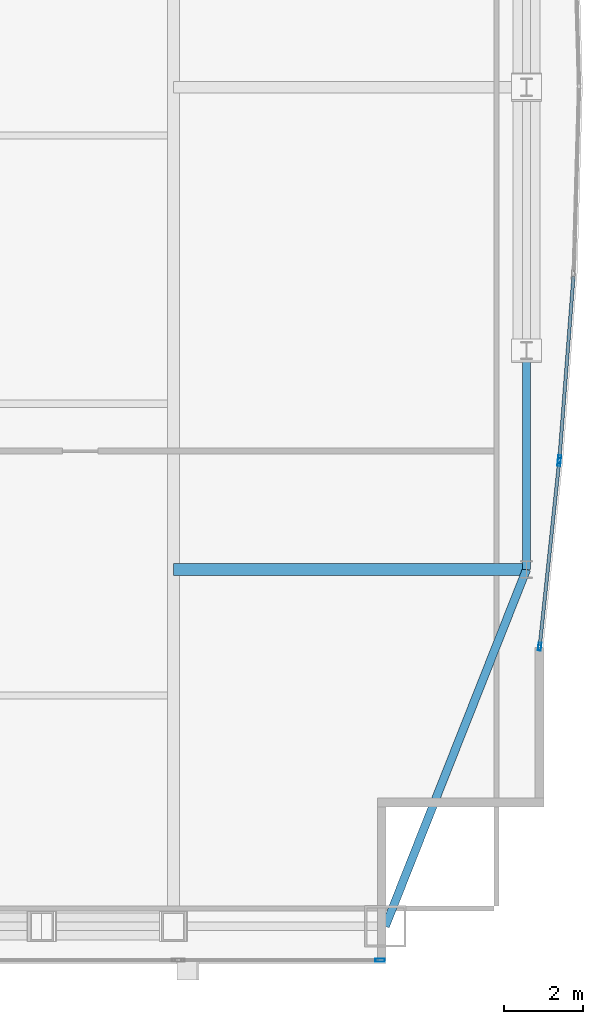
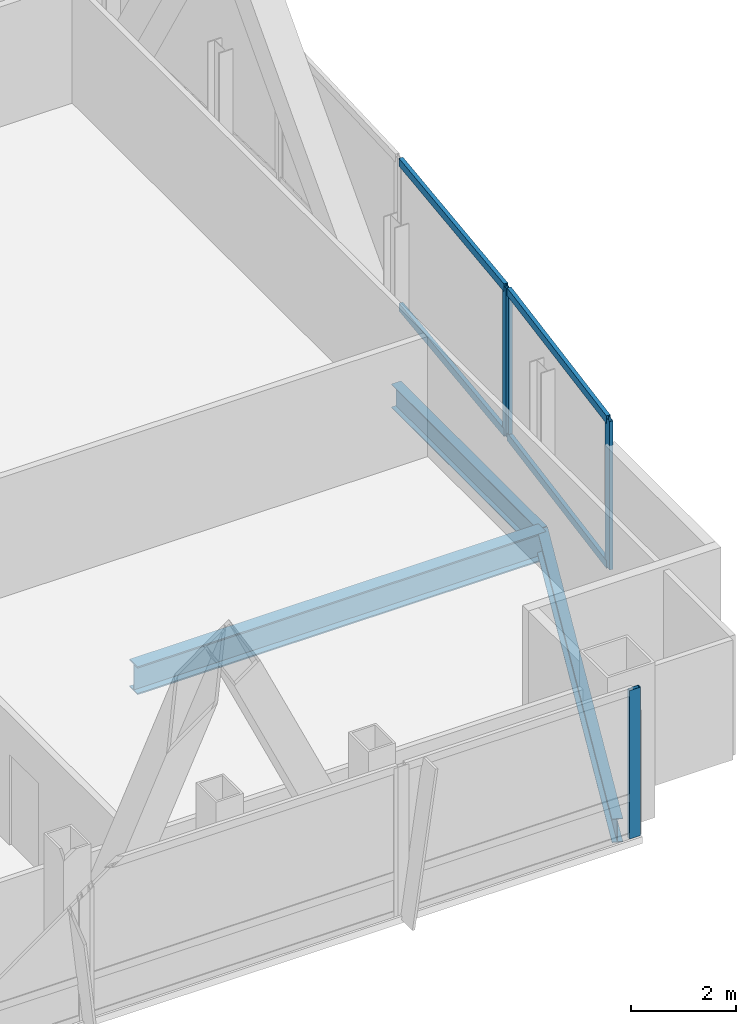
# One storey, part 16 of 30: 8 members, 3 beams, 3 elements without a shape of their own.
"""IFC4 building model written with IfcOpenShell, lengths in metres."""

import ifcopenshell
import ifcopenshell.guid

model = None  # the IFC model being written
_history = None  # IfcOwnerHistory: only IFC2X3 demands one
_inside = {}  # id of a spatial element -> (the spatial element, [elements in it])
_under = {}  # id of a project, library or spatial element -> (it, [spatial elements below it])
_declared = {}  # id of a project -> (the project, [libraries it declares])
_typed = {}  # id of a type object -> (the type object, [elements of that type])
_made_of = {}  # id of a material, layer set ... -> (it, [elements and type objects made of it])


def new_model(schema):
    """Start an empty IFC model of exactly this schema.

    Asked for "IFC4X3", IfcOpenShell would pick the latest addendum, in which some entities
    have other attributes; the version numbers below select the first issue.
    IFC2X3 requires an IfcOwnerHistory on every rooted entity: one is made here for all.
    """
    global model, _history
    if schema == "IFC4X3":
        model = ifcopenshell.file(schema_version=(4, 3, 0, 0))
    else:
        model = ifcopenshell.file(schema=schema)
    _inside.clear()
    _under.clear()
    _declared.clear()
    _typed.clear()
    _made_of.clear()
    _history = None
    if model.schema == "IFC2X3":
        org = make("IfcOrganization", Name="unknown")
        user = make(
            "IfcPersonAndOrganization",
            ThePerson=make("IfcPerson", FamilyName="unknown"),
            TheOrganization=org,
        )
        app = make(
            "IfcApplication",
            ApplicationDeveloper=org,
            Version="unknown",
            ApplicationFullName="unknown",
            ApplicationIdentifier="unknown",
        )
        _history = make(
            "IfcOwnerHistory",
            OwningUser=user,
            OwningApplication=app,
            ChangeAction="ADDED",
            CreationDate=0,
        )
    return model


def make(cls, **values):
    """One entity of the class cls with the attributes given. An attribute that is None is left unset."""
    return model.create_entity(
        cls, **{name: value for name, value in values.items() if value is not None}
    )


def rooted(cls, **values):
    """An entity with a GlobalId (a new one), such as an element, a storey or a relation."""
    return make(cls, GlobalId=ifcopenshell.guid.new(), OwnerHistory=_history, **values)


def si_unit(unit_type, name, prefix=None):
    """IfcSIUnit, for example si_unit("LENGTHUNIT", "METRE", prefix="MILLI")."""
    return make("IfcSIUnit", UnitType=unit_type, Prefix=prefix, Name=name)


def assignment(units):
    """IfcUnitAssignment: the units of a project."""
    return None if units is None else make("IfcUnitAssignment", Units=units)


def point(xyz):
    """IfcCartesianPoint."""
    return None if xyz is None else make("IfcCartesianPoint", Coordinates=xyz)


def direction(xyz):
    """IfcDirection."""
    return None if xyz is None else make("IfcDirection", DirectionRatios=xyz)


def frame(location, z_axis=None, x_axis=None):
    """IfcAxis2Placement3D, a coordinate frame: its origin and axes. An axis left out is left unset."""
    return make(
        "IfcAxis2Placement3D",
        Location=point(location),
        Axis=direction(z_axis),
        RefDirection=direction(x_axis),
    )


def frame_2d(location, x_axis=None):
    """IfcAxis2Placement2D, a coordinate frame in the plane: its origin and x axis."""
    return make(
        "IfcAxis2Placement2D", Location=point(location), RefDirection=direction(x_axis)
    )


def origin():
    """The frame at (0, 0, 0) with its axes left unset."""
    return frame((0.0, 0.0, 0.0))


def origin_2d():
    """The frame at (0, 0) in the plane with its x axis left unset."""
    return frame_2d((0.0, 0.0))


def place(relative_to, where):
    """IfcLocalPlacement: puts the frame where relative to a parent placement (None: the world)."""
    return make(
        "IfcLocalPlacement", PlacementRelTo=relative_to, RelativePlacement=where
    )


def context(
    kind, dimensions, precision=None, world=None, true_north=None, identifier=None
):
    """IfcGeometricRepresentationContext, for example the 3D "Model" context."""
    return make(
        "IfcGeometricRepresentationContext",
        ContextIdentifier=identifier,
        ContextType=kind,
        CoordinateSpaceDimension=dimensions,
        Precision=precision,
        WorldCoordinateSystem=world,
        TrueNorth=true_north,
    )


def subcontext(parent, identifier, kind, view, scale=None):
    """IfcGeometricRepresentationSubContext, for example "Body" below "Model"."""
    return make(
        "IfcGeometricRepresentationSubContext",
        ContextIdentifier=identifier,
        ContextType=kind,
        ParentContext=parent,
        TargetScale=scale,
        TargetView=view,
    )


def project(units=None, contexts=None):
    """IfcProject with its units and contexts."""
    return rooted(
        "IfcProject",
        Name="project",
        RepresentationContexts=contexts,
        UnitsInContext=assignment(units),
    )


def spatial(cls, under=None, at=None, **own):
    """A site, building, storey or space (cls), placed at a placement, below another one or the project."""
    s = rooted(cls, ObjectPlacement=at, **own)
    if under is not None:
        _under.setdefault(under.id(), (under, []))[1].append(s)
    return s


def profile(cls, at=None, kind="AREA", **sizes):
    """A parametric profile (cls). Its sizes go by their IFC names, for example OverallWidth=200.0."""
    return make(cls, ProfileType=kind, Position=at, **sizes)


def hollow_rectangle(**sizes):
    """IfcRectangleHollowProfileDef."""
    return profile("IfcRectangleHollowProfileDef", **sizes)


def i_section(**sizes):
    """IfcIShapeProfileDef."""
    return profile("IfcIShapeProfileDef", **sizes)


def extrude(swept, where, along, depth):
    """IfcExtrudedAreaSolid: the profile swept, set in the frame where, extruded along a direction by depth."""
    return make(
        "IfcExtrudedAreaSolid",
        SweptArea=swept,
        Position=where,
        ExtrudedDirection=direction(along),
        Depth=depth,
    )


def shape(context_of_items, identifier, shape_type, items):
    """IfcShapeRepresentation: the items that make up one representation, for example the "Body"."""
    return make(
        "IfcShapeRepresentation",
        ContextOfItems=context_of_items,
        RepresentationIdentifier=identifier,
        RepresentationType=shape_type,
        Items=items,
    )


def material(Name=None, Category=None):
    """IfcMaterial."""
    return make("IfcMaterial", Name=Name, Category=Category)


def material_profile(
    of_material, cross_section, Name=None, Category=None, Priority=None
):
    """IfcMaterialProfile: a cross section and its material."""
    return make(
        "IfcMaterialProfile",
        Name=Name,
        Material=of_material,
        Profile=cross_section,
        Priority=Priority,
        Category=Category,
    )


def profile_set(profiles, Name=None, composite=None):
    """IfcMaterialProfileSet."""
    return make(
        "IfcMaterialProfileSet",
        Name=Name,
        MaterialProfiles=profiles,
        CompositeProfile=composite,
    )


def made_of(thing, what):
    """Note that an element or type object is made of a material, layer set ...; save() writes the relation."""
    if what is not None:
        _made_of.setdefault(what.id(), (what, []))[1].append(thing)
    return thing


def type_object(cls, material=None, **own):
    """A type object (cls), such as IfcWallType, which elements share."""
    return made_of(rooted(cls, **own), material)


def element(
    cls,
    number,
    at=None,
    inside=None,
    cuts=None,
    type_object=None,
    material=None,
    context=None,
    identifier="Body",
    shape_type=None,
    held_by="IfcProductDefinitionShape",
    body=None,
    shapes=None,
    **own,
):
    """One element of the class cls, such as IfcWall. Its Tag is "e" and its number.

    at: its placement. inside: the storey or other place that contains it. cuts: it is an
    opening in that element (IfcRelVoidsElement). A single representation is given by context,
    identifier, shape_type and body (its items); several are given by shapes. held_by: the class
    of the entity that holds the representations. save() writes the other relations.
    """
    e = rooted(cls, Tag="e%d" % number, ObjectPlacement=at, **own)
    if body is not None:
        shapes = [shape(context, identifier, shape_type, body)]
    if shapes is not None:
        e.Representation = make(held_by, Representations=shapes)
    if inside is not None:
        _inside.setdefault(inside.id(), (inside, []))[1].append(e)
    if cuts is not None:
        rooted(
            "IfcRelVoidsElement", RelatingBuildingElement=cuts, RelatedOpeningElement=e
        )
    if type_object is not None:
        _typed.setdefault(type_object.id(), (type_object, []))[1].append(e)
    return made_of(e, material)


def aggregate(whole, parts):
    """IfcRelAggregates: a whole, such as a stair, and the parts it consists of."""
    return rooted("IfcRelAggregates", RelatingObject=whole, RelatedObjects=parts)


def save(model, path):
    """Write the relations noted so far, then the file.

    IfcRelAggregates (storeys below a building ...), IfcRelContainedInSpatialStructure (elements
    in a storey), IfcRelDefinesByType, IfcRelAssociatesMaterial and IfcRelDeclares: one each for
    every whole, place, type object, material and project.
    """
    for whole, parts in _under.values():
        aggregate(whole, parts)
    for where, things in _inside.values():
        rooted(
            "IfcRelContainedInSpatialStructure",
            RelatedElements=things,
            RelatingStructure=where,
        )
    for kind, things in _typed.values():
        rooted("IfcRelDefinesByType", RelatedObjects=things, RelatingType=kind)
    for what, things in _made_of.values():
        rooted("IfcRelAssociatesMaterial", RelatedObjects=things, RelatingMaterial=what)
    for by, libraries in _declared.values():
        rooted("IfcRelDeclares", RelatingContext=by, RelatedDefinitions=libraries)
    model.write(path)


model = new_model("IFC4")

# Units and contexts
model_context = context("Model", 3, precision=1e-05, world=origin(), true_north=direction((0.0, 1.0)))
body_context = subcontext(model_context, "Body", "Model", "MODEL_VIEW")
ifc_project = project(units=[si_unit("LENGTHUNIT", "METRE"), si_unit("AREAUNIT", "SQUARE_METRE"), si_unit("VOLUMEUNIT", "CUBIC_METRE"), si_unit("PLANEANGLEUNIT", "RADIAN"), si_unit("MASSUNIT", "GRAM", prefix="KILO")], contexts=[model_context])

# Site, building, storey
site_placement = place(None, origin())
site = spatial("IfcSite", under=ifc_project, at=site_placement, CompositionType="ELEMENT")
building_placement = place(site_placement, origin())
building = spatial("IfcBuilding", under=site, at=building_placement, Name="Khoronbel Lancet Exchange", CompositionType="ELEMENT")
storey_placement = place(building_placement, frame((0.0, 0.0, 284.199951171875)))
storey = spatial("IfcBuildingStorey", under=building, at=storey_placement, Name="L73", CompositionType="ELEMENT", Elevation=284.199951171875)

# Beams
ifc_material_1 = material(Name="Steel S355", Category="steel")
ifc_material_profile_1 = material_profile(ifc_material_1, i_section(OverallWidth=0.300048828125, OverallDepth=0.64990234375, WebThickness=0.01611328125, FlangeThickness=0.031005859375, at=origin_2d()), Name="HEB 650")
ifc_profile_set_1 = profile_set([ifc_material_profile_1], Name="Steel S355")
beam_type_1 = type_object("IfcBeamType", Name="BM-BG4", PredefinedType="BEAM", material=ifc_profile_set_1)
beam_1_placement = place(storey_placement, frame((54.675048828125, 19.199951171875, -0.48486328125), z_axis=(1.0, 0.0, 0.0), x_axis=(0.0, 1.0, 0.0)))
element("IfcBeam", 1, at=beam_1_placement, inside=storey, type_object=beam_type_1, Name="Level L73 east lens tie girder LG1E", PredefinedType="BEAM", context=body_context, shape_type="SweptSolid", body=[
    extrude(i_section(OverallWidth=0.300048828125, OverallDepth=0.64990234375, WebThickness=0.01611328125, FlangeThickness=0.031005859375, at=origin_2d()), origin(), (0.0, 0.0, 1.0), 8.954833984375),
])
ifc_material_profile_2 = material_profile(ifc_material_1, i_section(OverallWidth=0.2099609375, OverallDepth=0.550048828125, WebThickness=0.010986328125, FlangeThickness=0.01708984375, at=origin_2d()), Name="IPE 550")
ifc_profile_set_2 = profile_set([ifc_material_profile_2], Name="Steel S355")
beam_type_2 = type_object("IfcBeamType", Name="BM-BSP3", PredefinedType="SPANDREL", material=ifc_profile_set_2)
beam_2_placement = place(storey_placement, frame((60.050048828125, 10.14990234375, -0.43505859375), z_axis=(0.367828403855, 0.929893684954, 0.0), x_axis=(-0.929893684954, 0.367828403855, 0.0)))
element("IfcBeam", 2, at=beam_2_placement, inside=storey, type_object=beam_type_2, Name="Level L73 perimeter spandrel beam SP10", PredefinedType="SPANDREL", context=body_context, shape_type="SweptSolid", body=[
    extrude(i_section(OverallWidth=0.2099609375, OverallDepth=0.550048828125, WebThickness=0.010986328125, FlangeThickness=0.01708984375, at=origin_2d()), origin(), (0.0, 0.0, 1.0), 9.732421875),
])
beam_3_placement = place(storey_placement, frame((63.6298828125, 19.199951171875, -0.43505859375), z_axis=(0.0, 1.0, 0.0), x_axis=(-1.0, 0.0, 0.0)))
element("IfcBeam", 3, at=beam_3_placement, inside=storey, type_object=beam_type_2, Name="Level L73 perimeter spandrel beam SP11", PredefinedType="SPANDREL", context=body_context, shape_type="SweptSolid", body=[
    extrude(i_section(OverallWidth=0.2099609375, OverallDepth=0.550048828125, WebThickness=0.010986328125, FlangeThickness=0.01708984375, at=origin_2d()), origin(), (0.0, 0.0, 1.0), 5.550048828125),
])

# Curtain wall, member
ifc_material_2 = material(Name="Low-E Solar Control Insulating Glass", Category="glass")
curtain_wall_type_1 = type_object("IfcCurtainWallType", Name="CW-3", PredefinedType="NOTDEFINED", material=ifc_material_2)
curtain_wall_1_placement = place(storey_placement, origin())
curtain_wall_1 = element("IfcCurtainWall", 4, at=curtain_wall_1_placement, inside=storey, type_object=curtain_wall_type_1, Name="Unitised curtain wall CW-L73-SEV", PredefinedType="NOTDEFINED")
ifc_material_3 = material(Name="Bronze-Anodised Aluminium 6063-T6", Category="aluminium")
ifc_material_profile_3 = material_profile(ifc_material_3, hollow_rectangle(XDim=0.0849609375, YDim=0.239990234375, WallThickness=0.006103515625, at=origin_2d()), Name="ALU MULLION 85x240")
ifc_profile_set_3 = profile_set([ifc_material_profile_3], Name="Bronze-Anodised Aluminium 6063-T6")
member_type_1 = type_object("IfcMemberType", Name="MEM-CWM1", PredefinedType="MULLION", material=ifc_profile_set_3)
member_1_placement = place(storey_placement, frame((59.91748046875, 9.2900390625, 0.0), z_axis=(0.0, 0.0, 1.0), x_axis=(0.0, 1.0, 0.0)))
member_1 = element("IfcMember", 5, at=member_1_placement, type_object=member_type_1, Name="CW3 mullion 2", PredefinedType="MULLION", context=body_context, shape_type="SweptSolid", body=[
    extrude(hollow_rectangle(XDim=0.0849609375, YDim=0.239990234375, WallThickness=0.006103515625, at=origin_2d()), origin(), (0.0, 0.0, 1.0), 3.43994140625),
])
aggregate(curtain_wall_1, [member_1])

curtain_wall_type_2 = type_object("IfcCurtainWallType", Name="CW-4", PredefinedType="NOTDEFINED", material=ifc_material_2)
curtain_wall_2_placement = place(storey_placement, origin())
curtain_wall_2 = element("IfcCurtainWall", 6, at=curtain_wall_2_placement, inside=storey, type_object=curtain_wall_type_2, Name="Unitised curtain wall CW-L73-E21", PredefinedType="NOTDEFINED")
ifc_material_profile_4 = material_profile(ifc_material_3, hollow_rectangle(XDim=0.074951171875, YDim=0.199951171875, WallThickness=0.0048828125, at=origin_2d()), Name="ALU MULLION 75x200")
ifc_profile_set_4 = profile_set([ifc_material_profile_4], Name="Bronze-Anodised Aluminium 6063-T6")
member_type_2 = type_object("IfcMemberType", Name="MEM-CWM2", PredefinedType="MULLION", material=ifc_profile_set_4)
member_2_placement = place(storey_placement, frame((64.46337890625, 21.99560546875, 0.0), z_axis=(0.0, 0.0, 1.0), x_axis=(0.997045087155, -0.076818579658, 0.0)))
member_2 = element("IfcMember", 7, at=member_2_placement, type_object=member_type_2, Name="CW4 mullion 2", PredefinedType="MULLION", context=body_context, shape_type="SweptSolid", body=[
    extrude(hollow_rectangle(XDim=0.074951171875, YDim=0.199951171875, WallThickness=0.0048828125, at=origin_2d()), origin(), (0.0, 0.0, 1.0), 3.43994140625),
])

# Curtain wall, members
curtain_wall_3_placement = place(storey_placement, origin())
curtain_wall_3 = element("IfcCurtainWall", 8, at=curtain_wall_3_placement, inside=storey, type_object=curtain_wall_type_2, Name="Unitised curtain wall CW-L73-E22", PredefinedType="NOTDEFINED")
member_3_placement = place(storey_placement, frame((64.45654296875, 21.9208984375, 0.0), z_axis=(0.0, 0.0, 1.0), x_axis=(0.994504765069, -0.104691318907, 0.0)))
member_3 = element("IfcMember", 9, at=member_3_placement, type_object=member_type_2, Name="CW4 mullion 1", PredefinedType="MULLION", context=body_context, shape_type="SweptSolid", body=[
    extrude(hollow_rectangle(XDim=0.074951171875, YDim=0.199951171875, WallThickness=0.0048828125, at=origin_2d()), origin(), (0.0, 0.0, 1.0), 3.43994140625),
])
member_4_placement = place(storey_placement, frame((63.9638671875, 17.241943359375, 0.0), z_axis=(0.0, 0.0, 1.0), x_axis=(0.994504765069, -0.104691318907, 0.0)))
member_4 = element("IfcMember", 10, at=member_4_placement, type_object=member_type_2, Name="CW4 mullion 2", PredefinedType="MULLION", context=body_context, shape_type="SweptSolid", body=[
    extrude(hollow_rectangle(XDim=0.074951171875, YDim=0.199951171875, WallThickness=0.0048828125, at=origin_2d()), origin(), (0.0, 0.0, 1.0), 3.43994140625),
])

# Member
ifc_material_profile_5 = material_profile(ifc_material_3, hollow_rectangle(XDim=0.0849609375, YDim=0.179931640625, WallThickness=0.0048828125, at=origin_2d()), Name="ALU TRANSOM 85x180")
ifc_profile_set_5 = profile_set([ifc_material_profile_5], Name="Bronze-Anodised Aluminium 6063-T6")
member_type_3 = type_object("IfcMemberType", Name="MEM-CWT1", PredefinedType="USERDEFINED", material=ifc_profile_set_5)
member_5_placement = place(storey_placement, frame((64.8203125, 26.6298828125, 0.04248046875), z_axis=(-0.076834174828, -0.997043885483, 0.0), x_axis=(0.997043885483, -0.076834174828, 0.0)))
member_5 = element("IfcMember", 11, at=member_5_placement, type_object=member_type_3, Name="CW4 transom 1.1", ObjectType="TRANSOM", PredefinedType="USERDEFINED", context=body_context, shape_type="SweptSolid", body=[
    extrude(hollow_rectangle(XDim=0.0849609375, YDim=0.179931640625, WallThickness=0.0048828125, at=origin_2d()), origin(), (0.0, 0.0, 1.0), 4.610595703125),
])

member_6_placement = place(storey_placement, frame((64.8203125, 26.6298828125, 3.3974609375), z_axis=(-0.076834174828, -0.997043885483, 0.0), x_axis=(0.997043885483, -0.076834174828, 0.0)))
member_6 = element("IfcMember", 12, at=member_6_placement, type_object=member_type_3, Name="CW4 transom 1.2", ObjectType="TRANSOM", PredefinedType="USERDEFINED", context=body_context, shape_type="SweptSolid", body=[
    extrude(hollow_rectangle(XDim=0.0849609375, YDim=0.179931640625, WallThickness=0.0048828125, at=origin_2d()), origin(), (0.0, 0.0, 1.0), 4.610595703125),
])

aggregate(curtain_wall_2, [member_2, member_5, member_6])

member_7_placement = place(storey_placement, frame((64.45263671875, 21.883544921875, 0.04248046875), z_axis=(-0.104728704909, -0.994500828742, 0.0), x_axis=(0.994500828742, -0.104728704909, 0.0)))
member_7 = element("IfcMember", 13, at=member_7_placement, type_object=member_type_3, Name="CW4 transom 1.1", ObjectType="TRANSOM", PredefinedType="USERDEFINED", context=body_context, shape_type="SweptSolid", body=[
    extrude(hollow_rectangle(XDim=0.0849609375, YDim=0.179931640625, WallThickness=0.0048828125, at=origin_2d()), origin(), (0.0, 0.0, 1.0), 4.629638671875),
])

member_8_placement = place(storey_placement, frame((64.45263671875, 21.883544921875, 3.3974609375), z_axis=(-0.104728704909, -0.994500828742, 0.0), x_axis=(0.994500828742, -0.104728704909, 0.0)))
member_8 = element("IfcMember", 14, at=member_8_placement, type_object=member_type_3, Name="CW4 transom 1.2", ObjectType="TRANSOM", PredefinedType="USERDEFINED", context=body_context, shape_type="SweptSolid", body=[
    extrude(hollow_rectangle(XDim=0.0849609375, YDim=0.179931640625, WallThickness=0.0048828125, at=origin_2d()), origin(), (0.0, 0.0, 1.0), 4.629638671875),
])

aggregate(curtain_wall_3, [member_3, member_4, member_7, member_8])

save(model, "model.ifc")
